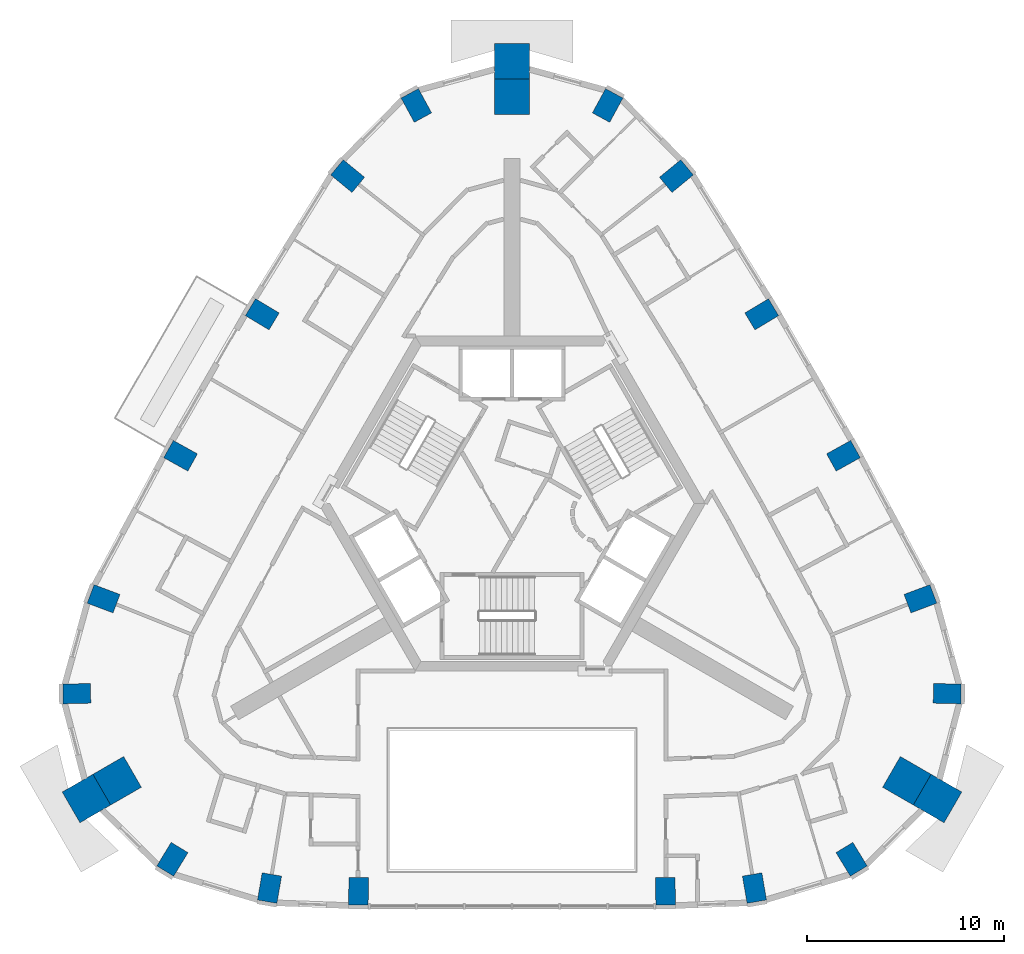
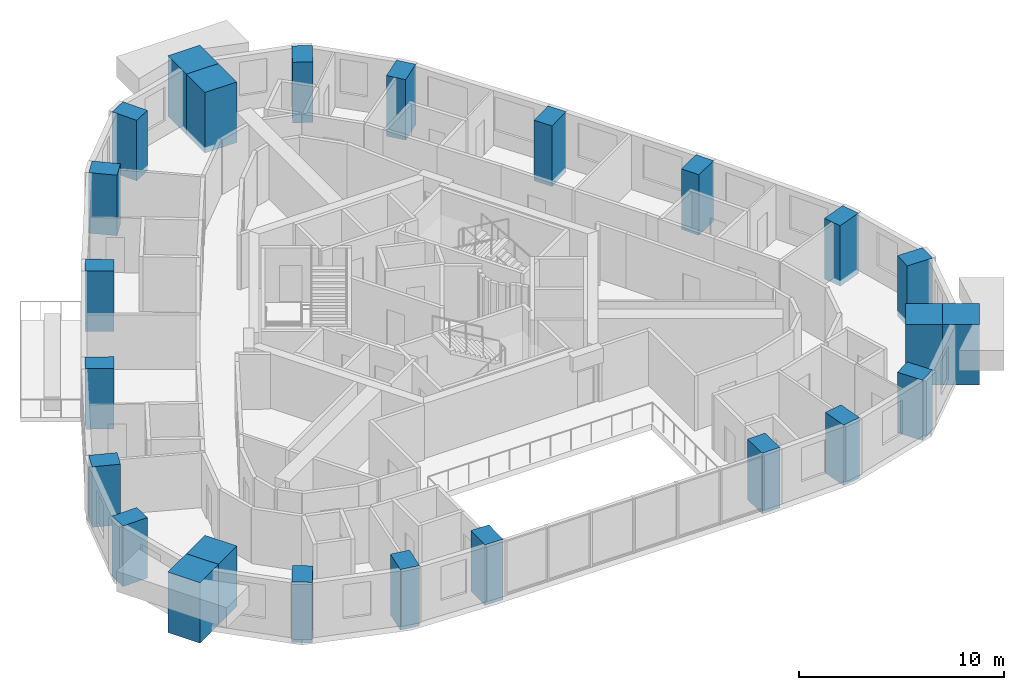
# One storey, part 1 of 11: 24 columns.
"""IFC4 building model written with IfcOpenShell, lengths in metres."""

import ifcopenshell
import ifcopenshell.guid

model = None  # the IFC model being written
_history = None  # IfcOwnerHistory: only IFC2X3 demands one
_inside = {}  # id of a spatial element -> (the spatial element, [elements in it])
_under = {}  # id of a project, library or spatial element -> (it, [spatial elements below it])
_declared = {}  # id of a project -> (the project, [libraries it declares])
_typed = {}  # id of a type object -> (the type object, [elements of that type])
_made_of = {}  # id of a material, layer set ... -> (it, [elements and type objects made of it])


def new_model(schema):
    """Start an empty IFC model of exactly this schema.

    Asked for "IFC4X3", IfcOpenShell would pick the latest addendum, in which some entities
    have other attributes; the version numbers below select the first issue.
    IFC2X3 requires an IfcOwnerHistory on every rooted entity: one is made here for all.
    """
    global model, _history
    if schema == "IFC4X3":
        model = ifcopenshell.file(schema_version=(4, 3, 0, 0))
    else:
        model = ifcopenshell.file(schema=schema)
    _inside.clear()
    _under.clear()
    _declared.clear()
    _typed.clear()
    _made_of.clear()
    _history = None
    if model.schema == "IFC2X3":
        org = make("IfcOrganization", Name="unknown")
        user = make(
            "IfcPersonAndOrganization",
            ThePerson=make("IfcPerson", FamilyName="unknown"),
            TheOrganization=org,
        )
        app = make(
            "IfcApplication",
            ApplicationDeveloper=org,
            Version="unknown",
            ApplicationFullName="unknown",
            ApplicationIdentifier="unknown",
        )
        _history = make(
            "IfcOwnerHistory",
            OwningUser=user,
            OwningApplication=app,
            ChangeAction="ADDED",
            CreationDate=0,
        )
    return model


def make(cls, **values):
    """One entity of the class cls with the attributes given. An attribute that is None is left unset."""
    return model.create_entity(
        cls, **{name: value for name, value in values.items() if value is not None}
    )


def rooted(cls, **values):
    """An entity with a GlobalId (a new one), such as an element, a storey or a relation."""
    return make(cls, GlobalId=ifcopenshell.guid.new(), OwnerHistory=_history, **values)


def si_unit(unit_type, name, prefix=None):
    """IfcSIUnit, for example si_unit("LENGTHUNIT", "METRE", prefix="MILLI")."""
    return make("IfcSIUnit", UnitType=unit_type, Prefix=prefix, Name=name)


def assignment(units):
    """IfcUnitAssignment: the units of a project."""
    return None if units is None else make("IfcUnitAssignment", Units=units)


def point(xyz):
    """IfcCartesianPoint."""
    return None if xyz is None else make("IfcCartesianPoint", Coordinates=xyz)


def direction(xyz):
    """IfcDirection."""
    return None if xyz is None else make("IfcDirection", DirectionRatios=xyz)


def frame(location, z_axis=None, x_axis=None):
    """IfcAxis2Placement3D, a coordinate frame: its origin and axes. An axis left out is left unset."""
    return make(
        "IfcAxis2Placement3D",
        Location=point(location),
        Axis=direction(z_axis),
        RefDirection=direction(x_axis),
    )


def frame_2d(location, x_axis=None):
    """IfcAxis2Placement2D, a coordinate frame in the plane: its origin and x axis."""
    return make(
        "IfcAxis2Placement2D", Location=point(location), RefDirection=direction(x_axis)
    )


def origin():
    """The frame at (0, 0, 0) with its axes left unset."""
    return frame((0.0, 0.0, 0.0))


def origin_2d():
    """The frame at (0, 0) in the plane with its x axis left unset."""
    return frame_2d((0.0, 0.0))


def place(relative_to, where):
    """IfcLocalPlacement: puts the frame where relative to a parent placement (None: the world)."""
    return make(
        "IfcLocalPlacement", PlacementRelTo=relative_to, RelativePlacement=where
    )


def context(
    kind, dimensions, precision=None, world=None, true_north=None, identifier=None
):
    """IfcGeometricRepresentationContext, for example the 3D "Model" context."""
    return make(
        "IfcGeometricRepresentationContext",
        ContextIdentifier=identifier,
        ContextType=kind,
        CoordinateSpaceDimension=dimensions,
        Precision=precision,
        WorldCoordinateSystem=world,
        TrueNorth=true_north,
    )


def subcontext(parent, identifier, kind, view, scale=None):
    """IfcGeometricRepresentationSubContext, for example "Body" below "Model"."""
    return make(
        "IfcGeometricRepresentationSubContext",
        ContextIdentifier=identifier,
        ContextType=kind,
        ParentContext=parent,
        TargetScale=scale,
        TargetView=view,
    )


def project(units=None, contexts=None):
    """IfcProject with its units and contexts."""
    return rooted(
        "IfcProject",
        Name="project",
        RepresentationContexts=contexts,
        UnitsInContext=assignment(units),
    )


def spatial(cls, under=None, at=None, **own):
    """A site, building, storey or space (cls), placed at a placement, below another one or the project."""
    s = rooted(cls, ObjectPlacement=at, **own)
    if under is not None:
        _under.setdefault(under.id(), (under, []))[1].append(s)
    return s


def profile(cls, at=None, kind="AREA", **sizes):
    """A parametric profile (cls). Its sizes go by their IFC names, for example OverallWidth=200.0."""
    return make(cls, ProfileType=kind, Position=at, **sizes)


def rectangle(**sizes):
    """IfcRectangleProfileDef."""
    return profile("IfcRectangleProfileDef", **sizes)


def extrude(swept, where, along, depth):
    """IfcExtrudedAreaSolid: the profile swept, set in the frame where, extruded along a direction by depth."""
    return make(
        "IfcExtrudedAreaSolid",
        SweptArea=swept,
        Position=where,
        ExtrudedDirection=direction(along),
        Depth=depth,
    )


def shape(context_of_items, identifier, shape_type, items):
    """IfcShapeRepresentation: the items that make up one representation, for example the "Body"."""
    return make(
        "IfcShapeRepresentation",
        ContextOfItems=context_of_items,
        RepresentationIdentifier=identifier,
        RepresentationType=shape_type,
        Items=items,
    )


def material(Name=None, Category=None):
    """IfcMaterial."""
    return make("IfcMaterial", Name=Name, Category=Category)


def material_profile(
    of_material, cross_section, Name=None, Category=None, Priority=None
):
    """IfcMaterialProfile: a cross section and its material."""
    return make(
        "IfcMaterialProfile",
        Name=Name,
        Material=of_material,
        Profile=cross_section,
        Priority=Priority,
        Category=Category,
    )


def profile_set(profiles, Name=None, composite=None):
    """IfcMaterialProfileSet."""
    return make(
        "IfcMaterialProfileSet",
        Name=Name,
        MaterialProfiles=profiles,
        CompositeProfile=composite,
    )


def made_of(thing, what):
    """Note that an element or type object is made of a material, layer set ...; save() writes the relation."""
    if what is not None:
        _made_of.setdefault(what.id(), (what, []))[1].append(thing)
    return thing


def type_object(cls, material=None, **own):
    """A type object (cls), such as IfcWallType, which elements share."""
    return made_of(rooted(cls, **own), material)


def element(
    cls,
    number,
    at=None,
    inside=None,
    cuts=None,
    type_object=None,
    material=None,
    context=None,
    identifier="Body",
    shape_type=None,
    held_by="IfcProductDefinitionShape",
    body=None,
    shapes=None,
    **own,
):
    """One element of the class cls, such as IfcWall. Its Tag is "e" and its number.

    at: its placement. inside: the storey or other place that contains it. cuts: it is an
    opening in that element (IfcRelVoidsElement). A single representation is given by context,
    identifier, shape_type and body (its items); several are given by shapes. held_by: the class
    of the entity that holds the representations. save() writes the other relations.
    """
    e = rooted(cls, Tag="e%d" % number, ObjectPlacement=at, **own)
    if body is not None:
        shapes = [shape(context, identifier, shape_type, body)]
    if shapes is not None:
        e.Representation = make(held_by, Representations=shapes)
    if inside is not None:
        _inside.setdefault(inside.id(), (inside, []))[1].append(e)
    if cuts is not None:
        rooted(
            "IfcRelVoidsElement", RelatingBuildingElement=cuts, RelatedOpeningElement=e
        )
    if type_object is not None:
        _typed.setdefault(type_object.id(), (type_object, []))[1].append(e)
    return made_of(e, material)


def aggregate(whole, parts):
    """IfcRelAggregates: a whole, such as a stair, and the parts it consists of."""
    return rooted("IfcRelAggregates", RelatingObject=whole, RelatedObjects=parts)


def save(model, path):
    """Write the relations noted so far, then the file.

    IfcRelAggregates (storeys below a building ...), IfcRelContainedInSpatialStructure (elements
    in a storey), IfcRelDefinesByType, IfcRelAssociatesMaterial and IfcRelDeclares: one each for
    every whole, place, type object, material and project.
    """
    for whole, parts in _under.values():
        aggregate(whole, parts)
    for where, things in _inside.values():
        rooted(
            "IfcRelContainedInSpatialStructure",
            RelatedElements=things,
            RelatingStructure=where,
        )
    for kind, things in _typed.values():
        rooted("IfcRelDefinesByType", RelatedObjects=things, RelatingType=kind)
    for what, things in _made_of.values():
        rooted("IfcRelAssociatesMaterial", RelatedObjects=things, RelatingMaterial=what)
    for by, libraries in _declared.values():
        rooted("IfcRelDeclares", RelatingContext=by, RelatedDefinitions=libraries)
    model.write(path)


model = new_model("IFC4")

# Units and contexts
model_context = context("Model", 3, precision=1e-05, world=origin(), true_north=direction((0.0, 1.0)))
body_context = subcontext(model_context, "Body", "Model", "MODEL_VIEW")
ifc_project = project(units=[si_unit("LENGTHUNIT", "METRE"), si_unit("AREAUNIT", "SQUARE_METRE"), si_unit("VOLUMEUNIT", "CUBIC_METRE"), si_unit("PLANEANGLEUNIT", "RADIAN"), si_unit("MASSUNIT", "GRAM", prefix="KILO")], contexts=[model_context])

# Site, building, storey
site_placement = place(None, origin())
site = spatial("IfcSite", under=ifc_project, at=site_placement, CompositionType="ELEMENT")
building_placement = place(site_placement, origin())
building = spatial("IfcBuilding", under=site, at=building_placement, Name="Entoto Arch Interchange Tower", CompositionType="ELEMENT")
storey_placement = place(building_placement, frame((0.0, 0.0, 304.39990234375)))
storey = spatial("IfcBuildingStorey", under=building, at=storey_placement, Name="L71", CompositionType="ELEMENT", Elevation=304.39990234375)

# Columns
ifc_material_1 = material(Name="Concrete C40/50", Category="concrete")
ifc_material_profile_1 = material_profile(ifc_material_1, rectangle(XDim=1.0, YDim=1.39990234375, at=origin_2d()))
ifc_profile_set_1 = profile_set([ifc_material_profile_1], Name="Concrete C40/50")
column_type_1 = type_object("IfcColumnType", Name="Column RC 1000x1400 C40/50", PredefinedType="COLUMN", material=ifc_profile_set_1)
for number, where, z_axis, x_axis, name in (
    (1, (-12.297119140625, -17.0029296875, -0.33984375), (0.0, 0.0, 1.0), (-0.985785690827, 0.168007653877, 0.0), "Column S01 L71"),
    (2, (-7.781982421875, -17.1640625, -0.33984375), (0.0, 0.0, 1.0), (-0.999805523312, 0.019720942027, 0.0), "Column S02 L71"),
    (3, (7.781982421875, -17.1640625, -0.33984375), (0.0, 0.0, 1.0), (0.999805523312, 0.019720942027, 0.0), "Column S03 L71"),
    (4, (12.297119140625, -17.0029296875, -0.33984375), (0.0, 0.0, 1.0), (0.985785690827, 0.168007653877, 0.0), "Column S04 L71"),
    (5, (17.222900390625, -15.5439453125, -0.33984375), (0.0, 0.0, 1.0), (0.853650808213, 0.520845752251, 0.0), "Column SE1 L71"),
    (6, (22.072021484375, -7.14306640625, -0.33984375), (0.0, 0.0, 1.0), (0.024257696956, 0.999705738774, 0.0), "Column SE3 L71"),
    (7, (20.714111328125, -2.3330078125, -0.33984375), (0.0, 0.0, 1.0), (-0.3507141184, 0.93648257173, 0.0), "Column NE01 L71"),
    (8, (16.80908203125, 4.9208984375, -0.33984375), (0.0, 0.0, 1.0), (-0.48592357098, 0.874001306158, 0.0), "Column NE02 L71"),
    (9, (12.666015625, 12.096923828125, -0.33984375), (0.0, 0.0, 1.0), (-0.513945548584, 0.857822809845, 0.0), "Column NE03 L71"),
    (10, (8.3369140625, 19.10498046875, -0.33984375), (0.0, 0.0, 1.0), (-0.635647164629, 0.771979716119, 0.0), "Column NE04 L71"),
    (11, (4.85009765625, 22.68701171875, -0.33984375), (0.0, 0.0, 1.0), (-0.877899414566, 0.478845087586, 0.0), "Column N1 L71"),
    (12, (-4.85009765625, 22.68701171875, -0.33984375), (0.0, 0.0, 1.0), (0.877899414566, 0.478845087586, 0.0), "Column N3 L71"),
    (13, (-8.3369140625, 19.10498046875, -0.33984375), (0.0, 0.0, 1.0), (0.635647164629, 0.771979716119, 0.0), "Column NW01 L71"),
    (14, (-12.666015625, 12.096923828125, -0.33984375), (0.0, 0.0, 1.0), (0.513945548584, 0.857822809845, 0.0), "Column NW02 L71"),
    (15, (-16.80908203125, 4.9208984375, -0.33984375), (0.0, 0.0, 1.0), (0.48592357098, 0.874001306158, 0.0), "Column NW03 L71"),
    (16, (-20.714111328125, -2.3330078125, -0.33984375), (0.0, 0.0, 1.0), (0.3507141184, 0.93648257173, 0.0), "Column NW04 L71"),
    (17, (-22.072021484375, -7.14306640625, -0.33984375), (0.0, 0.0, 1.0), (-0.024257696956, 0.999705738774, 0.0), "Column SW1 L71"),
    (18, (-17.222900390625, -15.5439453125, -0.33984375), (0.0, 0.0, 1.0), (-0.853650808213, 0.520845752251, 0.0), "Column SW3 L71"),
):
    element("IfcColumn", number, at=place(storey_placement, frame(where, z_axis=z_axis, x_axis=x_axis)), inside=storey, type_object=column_type_1, Name=name, PredefinedType="COLUMN", context=body_context, shape_type="SweptSolid", body=[
        extrude(rectangle(XDim=1.0, YDim=1.39990234375, at=origin_2d()), origin(), (0.0, 0.0, 1.0), 3.599853515625),
    ])
ifc_material_2 = material(Name="Precast concrete C40/50", Category="concrete")
ifc_material_profile_2 = material_profile(ifc_material_2, rectangle(XDim=1.800048828125, YDim=1.800048828125, at=origin_2d()))
ifc_profile_set_2 = profile_set([ifc_material_profile_2], Name="Precast concrete C40/50")
column_type_2 = type_object("IfcColumnType", Name="Frame post RC 1800x1800 precast C40/50", PredefinedType="COLUMN", material=ifc_profile_set_2)
for number, where, z_axis, x_axis, name in (
    (19, (21.583984375, -12.4609375, -0.33984375), (0.0, 0.0, 1.0), (-0.866025403784, 0.5, 0.0), "Frame post SE L71"),
    (20, (0.0, 24.923095703125, -0.33984375), (0.0, 0.0, 1.0), (0.0, 1.0, 0.0), "Frame post N L71"),
    (21, (-21.583984375, -12.4609375, -0.33984375), (0.0, 0.0, 1.0), (0.866025403784, 0.5, 0.0), "Frame post SW L71"),
):
    element("IfcColumn", number, at=place(storey_placement, frame(where, z_axis=z_axis, x_axis=x_axis)), inside=storey, type_object=column_type_2, Name=name, PredefinedType="COLUMN", context=body_context, shape_type="SweptSolid", body=[
        extrude(rectangle(XDim=1.800048828125, YDim=1.800048828125, at=origin_2d()), origin(), (0.0, 0.0, 1.0), 3.599853515625),
    ])
ifc_material_profile_3 = material_profile(ifc_material_1, rectangle(XDim=1.800048828125, YDim=1.800048828125, at=origin_2d()))
ifc_profile_set_3 = profile_set([ifc_material_profile_3], Name="Concrete C40/50")
column_type_3 = type_object("IfcColumnType", Name="Mega column RC 1800x1800 C40/50", PredefinedType="COLUMN", material=ifc_profile_set_3)
for number, where, z_axis, x_axis, name in (
    (22, (20.02490234375, -11.56103515625, -0.33984375), (0.0, 0.0, 1.0), (-0.866025403784, 0.5, 0.0), "Corner mega column SE2 L71"),
    (23, (0.0, 23.123046875, -0.33984375), (0.0, 0.0, 1.0), (0.0, 1.0, 0.0), "Corner mega column N2 L71"),
    (24, (-20.02490234375, -11.56103515625, -0.33984375), (0.0, 0.0, 1.0), (0.866025403784, 0.5, 0.0), "Corner mega column SW2 L71"),
):
    element("IfcColumn", number, at=place(storey_placement, frame(where, z_axis=z_axis, x_axis=x_axis)), inside=storey, type_object=column_type_3, Name=name, PredefinedType="COLUMN", context=body_context, shape_type="SweptSolid", body=[
        extrude(rectangle(XDim=1.800048828125, YDim=1.800048828125, at=origin_2d()), origin(), (0.0, 0.0, 1.0), 3.599853515625),
    ])

save(model, "model.ifc")
